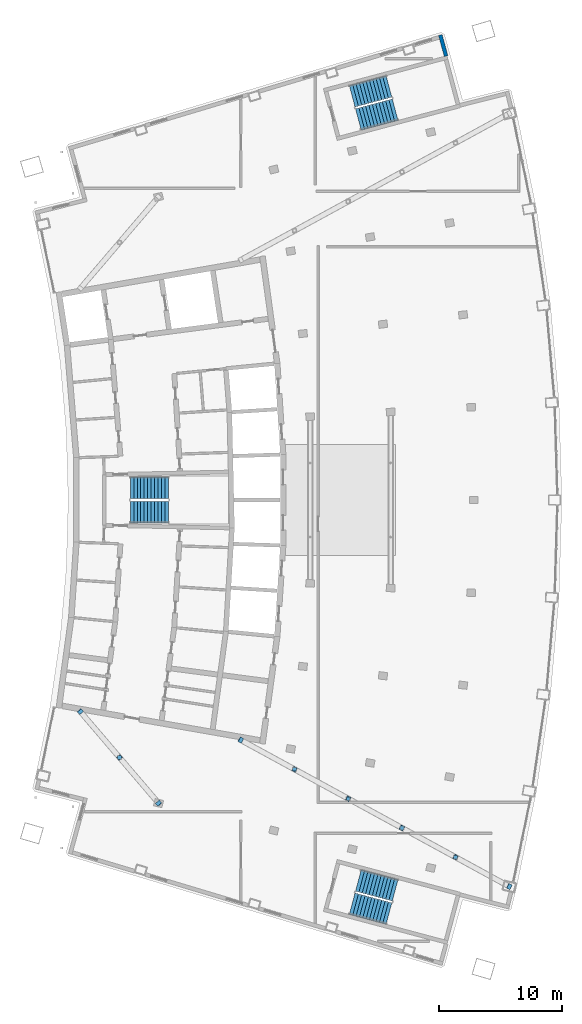
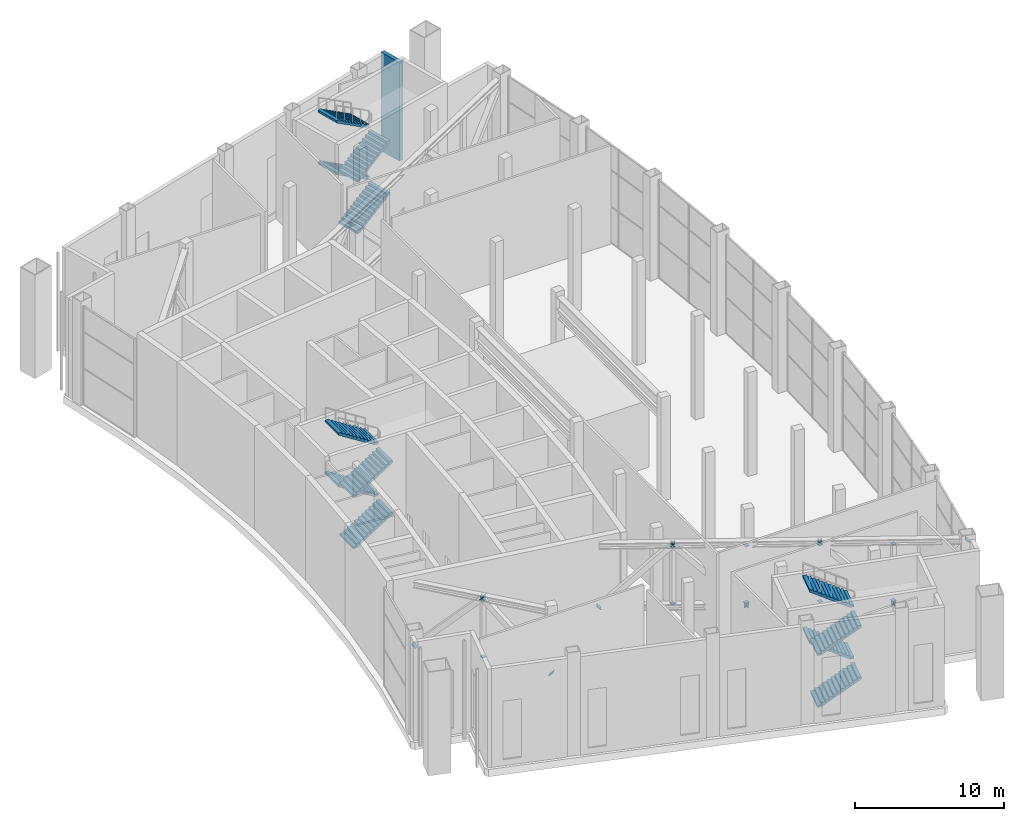
# One storey, part 21 of 25: 24 discrete accessories, 12 stair flights, 1 wall, 3 elements without a shape of their own.
"""IFC4 building model written with IfcOpenShell, lengths in metres."""

import ifcopenshell
import ifcopenshell.guid

model = None  # the IFC model being written
_history = None  # IfcOwnerHistory: only IFC2X3 demands one
_inside = {}  # id of a spatial element -> (the spatial element, [elements in it])
_under = {}  # id of a project, library or spatial element -> (it, [spatial elements below it])
_declared = {}  # id of a project -> (the project, [libraries it declares])
_typed = {}  # id of a type object -> (the type object, [elements of that type])
_made_of = {}  # id of a material, layer set ... -> (it, [elements and type objects made of it])


def new_model(schema):
    """Start an empty IFC model of exactly this schema.

    Asked for "IFC4X3", IfcOpenShell would pick the latest addendum, in which some entities
    have other attributes; the version numbers below select the first issue.
    IFC2X3 requires an IfcOwnerHistory on every rooted entity: one is made here for all.
    """
    global model, _history
    if schema == "IFC4X3":
        model = ifcopenshell.file(schema_version=(4, 3, 0, 0))
    else:
        model = ifcopenshell.file(schema=schema)
    _inside.clear()
    _under.clear()
    _declared.clear()
    _typed.clear()
    _made_of.clear()
    _history = None
    if model.schema == "IFC2X3":
        org = make("IfcOrganization", Name="unknown")
        user = make(
            "IfcPersonAndOrganization",
            ThePerson=make("IfcPerson", FamilyName="unknown"),
            TheOrganization=org,
        )
        app = make(
            "IfcApplication",
            ApplicationDeveloper=org,
            Version="unknown",
            ApplicationFullName="unknown",
            ApplicationIdentifier="unknown",
        )
        _history = make(
            "IfcOwnerHistory",
            OwningUser=user,
            OwningApplication=app,
            ChangeAction="ADDED",
            CreationDate=0,
        )
    return model


def make(cls, **values):
    """One entity of the class cls with the attributes given. An attribute that is None is left unset."""
    return model.create_entity(
        cls, **{name: value for name, value in values.items() if value is not None}
    )


def rooted(cls, **values):
    """An entity with a GlobalId (a new one), such as an element, a storey or a relation."""
    return make(cls, GlobalId=ifcopenshell.guid.new(), OwnerHistory=_history, **values)


def si_unit(unit_type, name, prefix=None):
    """IfcSIUnit, for example si_unit("LENGTHUNIT", "METRE", prefix="MILLI")."""
    return make("IfcSIUnit", UnitType=unit_type, Prefix=prefix, Name=name)


def assignment(units):
    """IfcUnitAssignment: the units of a project."""
    return None if units is None else make("IfcUnitAssignment", Units=units)


def point(xyz):
    """IfcCartesianPoint."""
    return None if xyz is None else make("IfcCartesianPoint", Coordinates=xyz)


def direction(xyz):
    """IfcDirection."""
    return None if xyz is None else make("IfcDirection", DirectionRatios=xyz)


def frame(location, z_axis=None, x_axis=None):
    """IfcAxis2Placement3D, a coordinate frame: its origin and axes. An axis left out is left unset."""
    return make(
        "IfcAxis2Placement3D",
        Location=point(location),
        Axis=direction(z_axis),
        RefDirection=direction(x_axis),
    )


def frame_2d(location, x_axis=None):
    """IfcAxis2Placement2D, a coordinate frame in the plane: its origin and x axis."""
    return make(
        "IfcAxis2Placement2D", Location=point(location), RefDirection=direction(x_axis)
    )


def origin():
    """The frame at (0, 0, 0) with its axes left unset."""
    return frame((0.0, 0.0, 0.0))


def origin_2d():
    """The frame at (0, 0) in the plane with its x axis left unset."""
    return frame_2d((0.0, 0.0))


def place(relative_to, where):
    """IfcLocalPlacement: puts the frame where relative to a parent placement (None: the world)."""
    return make(
        "IfcLocalPlacement", PlacementRelTo=relative_to, RelativePlacement=where
    )


def context(
    kind, dimensions, precision=None, world=None, true_north=None, identifier=None
):
    """IfcGeometricRepresentationContext, for example the 3D "Model" context."""
    return make(
        "IfcGeometricRepresentationContext",
        ContextIdentifier=identifier,
        ContextType=kind,
        CoordinateSpaceDimension=dimensions,
        Precision=precision,
        WorldCoordinateSystem=world,
        TrueNorth=true_north,
    )


def subcontext(parent, identifier, kind, view, scale=None):
    """IfcGeometricRepresentationSubContext, for example "Body" below "Model"."""
    return make(
        "IfcGeometricRepresentationSubContext",
        ContextIdentifier=identifier,
        ContextType=kind,
        ParentContext=parent,
        TargetScale=scale,
        TargetView=view,
    )


def project(units=None, contexts=None):
    """IfcProject with its units and contexts."""
    return rooted(
        "IfcProject",
        Name="project",
        RepresentationContexts=contexts,
        UnitsInContext=assignment(units),
    )


def spatial(cls, under=None, at=None, **own):
    """A site, building, storey or space (cls), placed at a placement, below another one or the project."""
    s = rooted(cls, ObjectPlacement=at, **own)
    if under is not None:
        _under.setdefault(under.id(), (under, []))[1].append(s)
    return s


def polyline(points):
    """IfcPolyline through the points."""
    return make("IfcPolyline", Points=[point(p) for p in points])


def profile(cls, at=None, kind="AREA", **sizes):
    """A parametric profile (cls). Its sizes go by their IFC names, for example OverallWidth=200.0."""
    return make(cls, ProfileType=kind, Position=at, **sizes)


def rectangle(**sizes):
    """IfcRectangleProfileDef."""
    return profile("IfcRectangleProfileDef", **sizes)


def outline(outer, holes=None, kind="AREA"):
    """IfcArbitraryClosedProfileDef: a profile drawn as a closed curve; with holes, ...WithVoids."""
    if holes is None:
        return make("IfcArbitraryClosedProfileDef", ProfileType=kind, OuterCurve=outer)
    return make(
        "IfcArbitraryProfileDefWithVoids",
        ProfileType=kind,
        OuterCurve=outer,
        InnerCurves=holes,
    )


def extrude(swept, where, along, depth):
    """IfcExtrudedAreaSolid: the profile swept, set in the frame where, extruded along a direction by depth."""
    return make(
        "IfcExtrudedAreaSolid",
        SweptArea=swept,
        Position=where,
        ExtrudedDirection=direction(along),
        Depth=depth,
    )


def shape(context_of_items, identifier, shape_type, items):
    """IfcShapeRepresentation: the items that make up one representation, for example the "Body"."""
    return make(
        "IfcShapeRepresentation",
        ContextOfItems=context_of_items,
        RepresentationIdentifier=identifier,
        RepresentationType=shape_type,
        Items=items,
    )


def material(Name=None, Category=None):
    """IfcMaterial."""
    return make("IfcMaterial", Name=Name, Category=Category)


def layer(
    of_material, thickness, ventilated=None, Name=None, Category=None, Priority=None
):
    """IfcMaterialLayer: one layer of a wall or slab, of a material (None: an air gap)."""
    return make(
        "IfcMaterialLayer",
        Material=of_material,
        LayerThickness=thickness,
        IsVentilated=ventilated,
        Name=Name,
        Category=Category,
        Priority=Priority,
    )


def layer_set(layers, Name=None):
    """IfcMaterialLayerSet."""
    return make("IfcMaterialLayerSet", MaterialLayers=layers, LayerSetName=Name)


def material_profile(
    of_material, cross_section, Name=None, Category=None, Priority=None
):
    """IfcMaterialProfile: a cross section and its material."""
    return make(
        "IfcMaterialProfile",
        Name=Name,
        Material=of_material,
        Profile=cross_section,
        Priority=Priority,
        Category=Category,
    )


def profile_set(profiles, Name=None, composite=None):
    """IfcMaterialProfileSet."""
    return make(
        "IfcMaterialProfileSet",
        Name=Name,
        MaterialProfiles=profiles,
        CompositeProfile=composite,
    )


def made_of(thing, what):
    """Note that an element or type object is made of a material, layer set ...; save() writes the relation."""
    if what is not None:
        _made_of.setdefault(what.id(), (what, []))[1].append(thing)
    return thing


def type_object(cls, material=None, **own):
    """A type object (cls), such as IfcWallType, which elements share."""
    return made_of(rooted(cls, **own), material)


def element(
    cls,
    number,
    at=None,
    inside=None,
    cuts=None,
    type_object=None,
    material=None,
    context=None,
    identifier="Body",
    shape_type=None,
    held_by="IfcProductDefinitionShape",
    body=None,
    shapes=None,
    **own,
):
    """One element of the class cls, such as IfcWall. Its Tag is "e" and its number.

    at: its placement. inside: the storey or other place that contains it. cuts: it is an
    opening in that element (IfcRelVoidsElement). A single representation is given by context,
    identifier, shape_type and body (its items); several are given by shapes. held_by: the class
    of the entity that holds the representations. save() writes the other relations.
    """
    e = rooted(cls, Tag="e%d" % number, ObjectPlacement=at, **own)
    if body is not None:
        shapes = [shape(context, identifier, shape_type, body)]
    if shapes is not None:
        e.Representation = make(held_by, Representations=shapes)
    if inside is not None:
        _inside.setdefault(inside.id(), (inside, []))[1].append(e)
    if cuts is not None:
        rooted(
            "IfcRelVoidsElement", RelatingBuildingElement=cuts, RelatedOpeningElement=e
        )
    if type_object is not None:
        _typed.setdefault(type_object.id(), (type_object, []))[1].append(e)
    return made_of(e, material)


def aggregate(whole, parts):
    """IfcRelAggregates: a whole, such as a stair, and the parts it consists of."""
    return rooted("IfcRelAggregates", RelatingObject=whole, RelatedObjects=parts)


def save(model, path):
    """Write the relations noted so far, then the file.

    IfcRelAggregates (storeys below a building ...), IfcRelContainedInSpatialStructure (elements
    in a storey), IfcRelDefinesByType, IfcRelAssociatesMaterial and IfcRelDeclares: one each for
    every whole, place, type object, material and project.
    """
    for whole, parts in _under.values():
        aggregate(whole, parts)
    for where, things in _inside.values():
        rooted(
            "IfcRelContainedInSpatialStructure",
            RelatedElements=things,
            RelatingStructure=where,
        )
    for kind, things in _typed.values():
        rooted("IfcRelDefinesByType", RelatedObjects=things, RelatingType=kind)
    for what, things in _made_of.values():
        rooted("IfcRelAssociatesMaterial", RelatedObjects=things, RelatingMaterial=what)
    for by, libraries in _declared.values():
        rooted("IfcRelDeclares", RelatingContext=by, RelatedDefinitions=libraries)
    model.write(path)


model = new_model("IFC4")

# Units and contexts
model_context = context("Model", 3, precision=1e-05, world=origin(), true_north=direction((0.0, 1.0)))
body_context = subcontext(model_context, "Body", "Model", "MODEL_VIEW")
ifc_project = project(units=[si_unit("LENGTHUNIT", "METRE"), si_unit("AREAUNIT", "SQUARE_METRE"), si_unit("VOLUMEUNIT", "CUBIC_METRE"), si_unit("PLANEANGLEUNIT", "RADIAN"), si_unit("MASSUNIT", "GRAM", prefix="KILO")], contexts=[model_context])

# Site, building, storey
site_placement = place(None, origin())
site = spatial("IfcSite", under=ifc_project, at=site_placement, CompositionType="ELEMENT")
building_placement = place(site_placement, origin())
building = spatial("IfcBuilding", under=site, at=building_placement, Name="Alderwake Tower", CompositionType="ELEMENT")
storey_placement = place(building_placement, frame((0.0, 0.0, 296.0)))
storey = spatial("IfcBuildingStorey", under=building, at=storey_placement, Name="L73", CompositionType="ELEMENT", Elevation=296.0)

# Wall
ifc_material_1 = material(Name="Bronze metal cladding on lightweight framing")
ifc_layer_1 = layer(ifc_material_1, 0.300048828125)
ifc_layer_set_1 = layer_set([ifc_layer_1], Name="External wall EW3 plant enclosure")
wall_type = type_object("IfcWallType", Name="External wall EW3 plant enclosure", PredefinedType="SOLIDWALL", material=ifc_layer_set_1)
wall_placement = place(storey_placement, frame((46.615478515625, 96.96142578125, 0.0), z_axis=(0.0, 0.0, 1.0), x_axis=(-0.265011891163, 0.964245143904, 0.0)))
element("IfcWall", 1, at=wall_placement, inside=storey, type_object=wall_type, Name="External wall 14", PredefinedType="SOLIDWALL", context=body_context, shape_type="SweptSolid", body=[
    extrude(rectangle(XDim=1.76611328125, YDim=0.300048828125, at=frame_2d((0.883056640625, 0.0))), origin(), (0.0, 0.0, 1.0), 8.10009765625),
])

# Stair, stair flights
ifc_material_2 = material(Name="Concrete C40/50", Category="concrete")
stair_type = type_object("IfcStairType", Name="Core exit stair", PredefinedType="HALF_TURN_STAIR", material=ifc_material_2)
stair_1_placement = place(storey_placement, origin())
stair_1 = element("IfcStair", 2, at=stair_1_placement, inside=storey, type_object=stair_type, Name="L73 Exit Stair B", PredefinedType="HALF_TURN_STAIR")
ifc_material_3 = material(Name="Concrete C40/50", Category="concrete")
ifc_layer_2 = layer(ifc_material_3, 0.14990234375)
ifc_layer_set_2 = layer_set([ifc_layer_2], Name="Core stair flight")
stair_flight_type = type_object("IfcStairFlightType", Name="Core stair flight", PredefinedType="STRAIGHT", material=ifc_layer_set_2)
stair_flight_1_placement = place(storey_placement, frame((21.0400390625, 60.02490234375, 0.0), z_axis=(0.0, 0.0, 1.0), x_axis=(1.0, 0.0, 0.0)))
stair_flight_1 = element("IfcStairFlight", 3, at=stair_flight_1_placement, type_object=stair_flight_type, Name="ST-B flight 1", NumberOfRisers=12, NumberOfTreads=11, PredefinedType="STRAIGHT", RiserHeight=0.177083333, TreadLength=0.28, context=body_context, shape_type="SweptSolid", body=[
    extrude(outline(polyline([(0.0, 0.0), (0.0, 0.177001953125), (0.280029296875, 0.177001953125), (0.280029296875, 0.354248046875), (0.56005859375, 0.354248046875), (0.56005859375, 0.53125), (0.840087890625, 0.53125), (0.840087890625, 0.708251953125), (1.1201171875, 0.708251953125), (1.1201171875, 0.885498046875), (1.39990234375, 0.885498046875), (1.39990234375, 1.0625), (1.679931640625, 1.0625), (1.679931640625, 1.239501953125), (1.9599609375, 1.239501953125), (1.9599609375, 1.416748046875), (2.239990234375, 1.416748046875), (2.239990234375, 1.59375), (2.52001953125, 1.59375), (2.52001953125, 1.770751953125), (2.800048828125, 1.770751953125), (2.800048828125, 1.947998046875), (3.080078125, 1.947998046875), (3.080078125, 2.125), (3.080078125, 1.7705078125), (0.280517578125, 0.0), (0.0, 0.0)])), frame((0.0, 0.89990234375, 0.0), z_axis=(0.0, -1.0, 0.0), x_axis=(1.0, 0.0, 0.0)), (0.0, 0.0, 1.0), 1.800048828125),
])
stair_flight_2_placement = place(storey_placement, frame((24.1201171875, 61.97509765625, 2.125), z_axis=(0.0, 0.0, 1.0), x_axis=(-1.0, 0.0, 0.0)))
stair_flight_2 = element("IfcStairFlight", 4, at=stair_flight_2_placement, type_object=stair_flight_type, Name="ST-B flight 2", NumberOfRisers=12, NumberOfTreads=11, PredefinedType="STRAIGHT", RiserHeight=0.177083333, TreadLength=0.28, context=body_context, shape_type="SweptSolid", body=[
    extrude(outline(polyline([(0.0, 0.0), (0.0, 0.177001953125), (0.280029296875, 0.177001953125), (0.280029296875, 0.354248046875), (0.56005859375, 0.354248046875), (0.56005859375, 0.53125), (0.840087890625, 0.53125), (0.840087890625, 0.708251953125), (1.1201171875, 0.708251953125), (1.1201171875, 0.885498046875), (1.39990234375, 0.885498046875), (1.39990234375, 1.0625), (1.679931640625, 1.0625), (1.679931640625, 1.239501953125), (1.9599609375, 1.239501953125), (1.9599609375, 1.416748046875), (2.239990234375, 1.416748046875), (2.239990234375, 1.59375), (2.52001953125, 1.59375), (2.52001953125, 1.770751953125), (2.800048828125, 1.770751953125), (2.800048828125, 1.947998046875), (3.080078125, 1.947998046875), (3.080078125, 2.125), (3.080078125, 1.7705078125), (0.280517578125, 0.0), (0.0, 0.0)])), frame((0.0, 0.89990234375, 0.0), z_axis=(0.0, -1.0, 0.0), x_axis=(1.0, 0.0, 0.0)), (0.0, 0.0, 1.0), 1.800048828125),
])
stair_flight_3_placement = place(storey_placement, frame((21.0400390625, 60.02490234375, 4.25), z_axis=(0.0, 0.0, 1.0), x_axis=(1.0, 0.0, 0.0)))
stair_flight_3 = element("IfcStairFlight", 5, at=stair_flight_3_placement, type_object=stair_flight_type, Name="ST-B flight 3", NumberOfRisers=12, NumberOfTreads=11, PredefinedType="STRAIGHT", RiserHeight=0.177083333, TreadLength=0.28, context=body_context, shape_type="SweptSolid", body=[
    extrude(outline(polyline([(0.0, 0.0), (0.0, 0.177001953125), (0.280029296875, 0.177001953125), (0.280029296875, 0.354248046875), (0.56005859375, 0.354248046875), (0.56005859375, 0.53125), (0.840087890625, 0.53125), (0.840087890625, 0.708251953125), (1.1201171875, 0.708251953125), (1.1201171875, 0.885498046875), (1.39990234375, 0.885498046875), (1.39990234375, 1.0625), (1.679931640625, 1.0625), (1.679931640625, 1.239501953125), (1.9599609375, 1.239501953125), (1.9599609375, 1.416748046875), (2.239990234375, 1.416748046875), (2.239990234375, 1.59375), (2.52001953125, 1.59375), (2.52001953125, 1.770751953125), (2.800048828125, 1.770751953125), (2.800048828125, 1.947998046875), (3.080078125, 1.947998046875), (3.080078125, 2.125), (3.080078125, 1.7705078125), (0.280517578125, 0.0), (0.0, 0.0)])), frame((0.0, 0.89990234375, 0.0), z_axis=(0.0, -1.0, 0.0), x_axis=(1.0, 0.0, 0.0)), (0.0, 0.0, 1.0), 1.800048828125),
])
stair_flight_4_placement = place(storey_placement, frame((24.1201171875, 61.97509765625, 6.375), z_axis=(0.0, 0.0, 1.0), x_axis=(-1.0, 0.0, 0.0)))
stair_flight_4 = element("IfcStairFlight", 6, at=stair_flight_4_placement, type_object=stair_flight_type, Name="ST-B flight 4", NumberOfRisers=12, NumberOfTreads=11, PredefinedType="STRAIGHT", RiserHeight=0.177083333, TreadLength=0.28, context=body_context, shape_type="SweptSolid", body=[
    extrude(outline(polyline([(0.0, 0.0), (0.0, 0.177001953125), (0.280029296875, 0.177001953125), (0.280029296875, 0.354248046875), (0.56005859375, 0.354248046875), (0.56005859375, 0.53125), (0.840087890625, 0.53125), (0.840087890625, 0.708251953125), (1.1201171875, 0.708251953125), (1.1201171875, 0.885498046875), (1.39990234375, 0.885498046875), (1.39990234375, 1.0625), (1.679931640625, 1.0625), (1.679931640625, 1.239501953125), (1.9599609375, 1.239501953125), (1.9599609375, 1.416748046875), (2.239990234375, 1.416748046875), (2.239990234375, 1.59375), (2.52001953125, 1.59375), (2.52001953125, 1.770751953125), (2.800048828125, 1.770751953125), (2.800048828125, 1.947998046875), (3.080078125, 1.947998046875), (3.080078125, 2.125), (3.080078125, 1.7705078125), (0.280517578125, 0.0), (0.0, 0.0)])), frame((0.0, 0.89990234375, 0.0), z_axis=(0.0, -1.0, 0.0), x_axis=(1.0, 0.0, 0.0)), (0.0, 0.0, 1.0), 1.800048828125),
])
aggregate(stair_1, [stair_flight_1, stair_flight_2, stair_flight_3, stair_flight_4])

stair_2_placement = place(storey_placement, origin())
stair_2 = element("IfcStair", 7, at=stair_2_placement, inside=storey, type_object=stair_type, Name="L73 Exit Stair A", PredefinedType="HALF_TURN_STAIR")
stair_flight_5_placement = place(storey_placement, frame((39.512939453125, 91.823974609375, 0.0), z_axis=(0.0, 0.0, 1.0), x_axis=(0.966309627437, 0.257382407951, 0.0)))
stair_flight_5 = element("IfcStairFlight", 8, at=stair_flight_5_placement, type_object=stair_flight_type, Name="ST-A flight 1", NumberOfRisers=12, NumberOfTreads=11, PredefinedType="STRAIGHT", RiserHeight=0.177083333, TreadLength=0.28, context=body_context, shape_type="SweptSolid", body=[
    extrude(outline(polyline([(0.0, 0.0), (0.0, 0.177001953125), (0.280029296875, 0.177001953125), (0.280029296875, 0.354248046875), (0.56005859375, 0.354248046875), (0.56005859375, 0.53125), (0.840087890625, 0.53125), (0.840087890625, 0.708251953125), (1.1201171875, 0.708251953125), (1.1201171875, 0.885498046875), (1.39990234375, 0.885498046875), (1.39990234375, 1.0625), (1.679931640625, 1.0625), (1.679931640625, 1.239501953125), (1.9599609375, 1.239501953125), (1.9599609375, 1.416748046875), (2.239990234375, 1.416748046875), (2.239990234375, 1.59375), (2.52001953125, 1.59375), (2.52001953125, 1.770751953125), (2.800048828125, 1.770751953125), (2.800048828125, 1.947998046875), (3.080078125, 1.947998046875), (3.080078125, 2.125), (3.080078125, 1.7705078125), (0.280517578125, 0.0), (0.0, 0.0)])), frame((0.0, 0.89990234375, 0.0), z_axis=(0.0, -1.0, 0.0), x_axis=(1.0, 0.0, 0.0)), (0.0, 0.0, 1.0), 1.800048828125),
])
stair_flight_6_placement = place(storey_placement, frame((41.9873046875, 94.5009765625, 2.125), z_axis=(0.0, 0.0, 1.0), x_axis=(-0.966309627437, -0.257382407951, 0.0)))
stair_flight_6 = element("IfcStairFlight", 9, at=stair_flight_6_placement, type_object=stair_flight_type, Name="ST-A flight 2", NumberOfRisers=12, NumberOfTreads=11, PredefinedType="STRAIGHT", RiserHeight=0.177083333, TreadLength=0.28, context=body_context, shape_type="SweptSolid", body=[
    extrude(outline(polyline([(0.0, 0.0), (0.0, 0.177001953125), (0.280029296875, 0.177001953125), (0.280029296875, 0.354248046875), (0.56005859375, 0.354248046875), (0.56005859375, 0.53125), (0.840087890625, 0.53125), (0.840087890625, 0.708251953125), (1.1201171875, 0.708251953125), (1.1201171875, 0.885498046875), (1.39990234375, 0.885498046875), (1.39990234375, 1.0625), (1.679931640625, 1.0625), (1.679931640625, 1.239501953125), (1.9599609375, 1.239501953125), (1.9599609375, 1.416748046875), (2.239990234375, 1.416748046875), (2.239990234375, 1.59375), (2.52001953125, 1.59375), (2.52001953125, 1.770751953125), (2.800048828125, 1.770751953125), (2.800048828125, 1.947998046875), (3.080078125, 1.947998046875), (3.080078125, 2.125), (3.080078125, 1.7705078125), (0.280517578125, 0.0), (0.0, 0.0)])), frame((0.0, 0.89990234375, 0.0), z_axis=(0.0, -1.0, 0.0), x_axis=(1.0, 0.0, 0.0)), (0.0, 0.0, 1.0), 1.800048828125),
])
stair_flight_7_placement = place(storey_placement, frame((39.512939453125, 91.823974609375, 4.25), z_axis=(0.0, 0.0, 1.0), x_axis=(0.966309627437, 0.257382407951, 0.0)))
stair_flight_7 = element("IfcStairFlight", 10, at=stair_flight_7_placement, type_object=stair_flight_type, Name="ST-A flight 3", NumberOfRisers=12, NumberOfTreads=11, PredefinedType="STRAIGHT", RiserHeight=0.177083333, TreadLength=0.28, context=body_context, shape_type="SweptSolid", body=[
    extrude(outline(polyline([(0.0, 0.0), (0.0, 0.177001953125), (0.280029296875, 0.177001953125), (0.280029296875, 0.354248046875), (0.56005859375, 0.354248046875), (0.56005859375, 0.53125), (0.840087890625, 0.53125), (0.840087890625, 0.708251953125), (1.1201171875, 0.708251953125), (1.1201171875, 0.885498046875), (1.39990234375, 0.885498046875), (1.39990234375, 1.0625), (1.679931640625, 1.0625), (1.679931640625, 1.239501953125), (1.9599609375, 1.239501953125), (1.9599609375, 1.416748046875), (2.239990234375, 1.416748046875), (2.239990234375, 1.59375), (2.52001953125, 1.59375), (2.52001953125, 1.770751953125), (2.800048828125, 1.770751953125), (2.800048828125, 1.947998046875), (3.080078125, 1.947998046875), (3.080078125, 2.125), (3.080078125, 1.7705078125), (0.280517578125, 0.0), (0.0, 0.0)])), frame((0.0, 0.89990234375, 0.0), z_axis=(0.0, -1.0, 0.0), x_axis=(1.0, 0.0, 0.0)), (0.0, 0.0, 1.0), 1.800048828125),
])
stair_flight_8_placement = place(storey_placement, frame((41.9873046875, 94.5009765625, 6.375), z_axis=(0.0, 0.0, 1.0), x_axis=(-0.966309627437, -0.257382407951, 0.0)))
stair_flight_8 = element("IfcStairFlight", 11, at=stair_flight_8_placement, type_object=stair_flight_type, Name="ST-A flight 4", NumberOfRisers=12, NumberOfTreads=11, PredefinedType="STRAIGHT", RiserHeight=0.177083333, TreadLength=0.28, context=body_context, shape_type="SweptSolid", body=[
    extrude(outline(polyline([(0.0, 0.0), (0.0, 0.177001953125), (0.280029296875, 0.177001953125), (0.280029296875, 0.354248046875), (0.56005859375, 0.354248046875), (0.56005859375, 0.53125), (0.840087890625, 0.53125), (0.840087890625, 0.708251953125), (1.1201171875, 0.708251953125), (1.1201171875, 0.885498046875), (1.39990234375, 0.885498046875), (1.39990234375, 1.0625), (1.679931640625, 1.0625), (1.679931640625, 1.239501953125), (1.9599609375, 1.239501953125), (1.9599609375, 1.416748046875), (2.239990234375, 1.416748046875), (2.239990234375, 1.59375), (2.52001953125, 1.59375), (2.52001953125, 1.770751953125), (2.800048828125, 1.770751953125), (2.800048828125, 1.947998046875), (3.080078125, 1.947998046875), (3.080078125, 2.125), (3.080078125, 1.7705078125), (0.280517578125, 0.0), (0.0, 0.0)])), frame((0.0, 0.89990234375, 0.0), z_axis=(0.0, -1.0, 0.0), x_axis=(1.0, 0.0, 0.0)), (0.0, 0.0, 1.0), 1.800048828125),
])
aggregate(stair_2, [stair_flight_5, stair_flight_6, stair_flight_7, stair_flight_8])

stair_3_placement = place(storey_placement, origin())
stair_3 = element("IfcStair", 12, at=stair_3_placement, inside=storey, type_object=stair_type, Name="L73 Exit Stair C", PredefinedType="HALF_TURN_STAIR")
stair_flight_9_placement = place(storey_placement, frame((39.010986328125, 28.291748046875, 0.0), z_axis=(0.0, 0.0, 1.0), x_axis=(0.966309627437, -0.257382407951, 0.0)))
stair_flight_9 = element("IfcStairFlight", 13, at=stair_flight_9_placement, type_object=stair_flight_type, Name="ST-C flight 1", NumberOfRisers=12, NumberOfTreads=11, PredefinedType="STRAIGHT", RiserHeight=0.177083333, TreadLength=0.28, context=body_context, shape_type="SweptSolid", body=[
    extrude(outline(polyline([(0.0, 0.0), (0.0, 0.177001953125), (0.280029296875, 0.177001953125), (0.280029296875, 0.354248046875), (0.56005859375, 0.354248046875), (0.56005859375, 0.53125), (0.840087890625, 0.53125), (0.840087890625, 0.708251953125), (1.1201171875, 0.708251953125), (1.1201171875, 0.885498046875), (1.39990234375, 0.885498046875), (1.39990234375, 1.0625), (1.679931640625, 1.0625), (1.679931640625, 1.239501953125), (1.9599609375, 1.239501953125), (1.9599609375, 1.416748046875), (2.239990234375, 1.416748046875), (2.239990234375, 1.59375), (2.52001953125, 1.59375), (2.52001953125, 1.770751953125), (2.800048828125, 1.770751953125), (2.800048828125, 1.947998046875), (3.080078125, 1.947998046875), (3.080078125, 2.125), (3.080078125, 1.7705078125), (0.280517578125, 0.0), (0.0, 0.0)])), frame((0.0, 0.89990234375, 0.0), z_axis=(0.0, -1.0, 0.0), x_axis=(1.0, 0.0, 0.0)), (0.0, 0.0, 1.0), 1.800048828125),
])
stair_flight_10_placement = place(storey_placement, frame((42.489013671875, 29.38330078125, 2.125), z_axis=(0.0, 0.0, 1.0), x_axis=(-0.966309627437, 0.257382407951, 0.0)))
stair_flight_10 = element("IfcStairFlight", 14, at=stair_flight_10_placement, type_object=stair_flight_type, Name="ST-C flight 2", NumberOfRisers=12, NumberOfTreads=11, PredefinedType="STRAIGHT", RiserHeight=0.177083333, TreadLength=0.28, context=body_context, shape_type="SweptSolid", body=[
    extrude(outline(polyline([(0.0, 0.0), (0.0, 0.177001953125), (0.280029296875, 0.177001953125), (0.280029296875, 0.354248046875), (0.56005859375, 0.354248046875), (0.56005859375, 0.53125), (0.840087890625, 0.53125), (0.840087890625, 0.708251953125), (1.1201171875, 0.708251953125), (1.1201171875, 0.885498046875), (1.39990234375, 0.885498046875), (1.39990234375, 1.0625), (1.679931640625, 1.0625), (1.679931640625, 1.239501953125), (1.9599609375, 1.239501953125), (1.9599609375, 1.416748046875), (2.239990234375, 1.416748046875), (2.239990234375, 1.59375), (2.52001953125, 1.59375), (2.52001953125, 1.770751953125), (2.800048828125, 1.770751953125), (2.800048828125, 1.947998046875), (3.080078125, 1.947998046875), (3.080078125, 2.125), (3.080078125, 1.7705078125), (0.280517578125, 0.0), (0.0, 0.0)])), frame((0.0, 0.89990234375, 0.0), z_axis=(0.0, -1.0, 0.0), x_axis=(1.0, 0.0, 0.0)), (0.0, 0.0, 1.0), 1.800048828125),
])
stair_flight_11_placement = place(storey_placement, frame((39.010986328125, 28.291748046875, 4.25), z_axis=(0.0, 0.0, 1.0), x_axis=(0.966309627437, -0.257382407951, 0.0)))
stair_flight_11 = element("IfcStairFlight", 15, at=stair_flight_11_placement, type_object=stair_flight_type, Name="ST-C flight 3", NumberOfRisers=12, NumberOfTreads=11, PredefinedType="STRAIGHT", RiserHeight=0.177083333, TreadLength=0.28, context=body_context, shape_type="SweptSolid", body=[
    extrude(outline(polyline([(0.0, 0.0), (0.0, 0.177001953125), (0.280029296875, 0.177001953125), (0.280029296875, 0.354248046875), (0.56005859375, 0.354248046875), (0.56005859375, 0.53125), (0.840087890625, 0.53125), (0.840087890625, 0.708251953125), (1.1201171875, 0.708251953125), (1.1201171875, 0.885498046875), (1.39990234375, 0.885498046875), (1.39990234375, 1.0625), (1.679931640625, 1.0625), (1.679931640625, 1.239501953125), (1.9599609375, 1.239501953125), (1.9599609375, 1.416748046875), (2.239990234375, 1.416748046875), (2.239990234375, 1.59375), (2.52001953125, 1.59375), (2.52001953125, 1.770751953125), (2.800048828125, 1.770751953125), (2.800048828125, 1.947998046875), (3.080078125, 1.947998046875), (3.080078125, 2.125), (3.080078125, 1.7705078125), (0.280517578125, 0.0), (0.0, 0.0)])), frame((0.0, 0.89990234375, 0.0), z_axis=(0.0, -1.0, 0.0), x_axis=(1.0, 0.0, 0.0)), (0.0, 0.0, 1.0), 1.800048828125),
])
stair_flight_12_placement = place(storey_placement, frame((42.489013671875, 29.38330078125, 6.375), z_axis=(0.0, 0.0, 1.0), x_axis=(-0.966309627437, 0.257382407951, 0.0)))
stair_flight_12 = element("IfcStairFlight", 16, at=stair_flight_12_placement, type_object=stair_flight_type, Name="ST-C flight 4", NumberOfRisers=12, NumberOfTreads=11, PredefinedType="STRAIGHT", RiserHeight=0.177083333, TreadLength=0.28, context=body_context, shape_type="SweptSolid", body=[
    extrude(outline(polyline([(0.0, 0.0), (0.0, 0.177001953125), (0.280029296875, 0.177001953125), (0.280029296875, 0.354248046875), (0.56005859375, 0.354248046875), (0.56005859375, 0.53125), (0.840087890625, 0.53125), (0.840087890625, 0.708251953125), (1.1201171875, 0.708251953125), (1.1201171875, 0.885498046875), (1.39990234375, 0.885498046875), (1.39990234375, 1.0625), (1.679931640625, 1.0625), (1.679931640625, 1.239501953125), (1.9599609375, 1.239501953125), (1.9599609375, 1.416748046875), (2.239990234375, 1.416748046875), (2.239990234375, 1.59375), (2.52001953125, 1.59375), (2.52001953125, 1.770751953125), (2.800048828125, 1.770751953125), (2.800048828125, 1.947998046875), (3.080078125, 1.947998046875), (3.080078125, 2.125), (3.080078125, 1.7705078125), (0.280517578125, 0.0), (0.0, 0.0)])), frame((0.0, 0.89990234375, 0.0), z_axis=(0.0, -1.0, 0.0), x_axis=(1.0, 0.0, 0.0)), (0.0, 0.0, 1.0), 1.800048828125),
])
aggregate(stair_3, [stair_flight_9, stair_flight_10, stair_flight_11, stair_flight_12])

# Discrete accessories
ifc_material_4 = material(Name="Steel ASTM A572 Grade 50", Category="steel")
ifc_material_profile_1 = material_profile(ifc_material_4, rectangle(XDim=0.3046875, YDim=0.3046875, at=origin_2d()), Name="HSS12X12X1/2 cap")
ifc_profile_set_1 = profile_set([ifc_material_profile_1], Name="Steel ASTM A572 Grade 50")
discrete_accessory_type_1 = type_object("IfcDiscreteAccessoryType", Name="End cap plate HSS12X12X1/2", PredefinedType="USERDEFINED", material=ifc_profile_set_1)
discrete_accessory_1_placement = place(storey_placement, frame((20.15869140625, 40.147216796875, 3.0146484375), z_axis=(0.0, 0.0, -1.0), x_axis=(1.0, 0.0, 0.0)))
element("IfcDiscreteAccessory", 17, at=discrete_accessory_1_placement, inside=storey, type_object=discrete_accessory_type_1, Name="End cap DT73SR.P1 S", ObjectType="END CAP", PredefinedType="USERDEFINED", context=body_context, shape_type="SweptSolid", body=[
    extrude(rectangle(XDim=0.3046875, YDim=0.3046875, at=origin_2d()), origin(), (0.0, 0.0, 1.0), 0.030029296875),
])
discrete_accessory_2_placement = place(storey_placement, frame((20.15869140625, 40.147216796875, 7.635498046875), z_axis=(0.0, 0.0, 1.0), x_axis=(1.0, 0.0, 0.0)))
element("IfcDiscreteAccessory", 18, at=discrete_accessory_2_placement, inside=storey, type_object=discrete_accessory_type_1, Name="End cap DT73SR.P1 N", ObjectType="END CAP", PredefinedType="USERDEFINED", context=body_context, shape_type="SweptSolid", body=[
    extrude(rectangle(XDim=0.3046875, YDim=0.3046875, at=origin_2d()), origin(), (0.0, 0.0, 1.0), 0.02978515625),
])
discrete_accessory_3_placement = place(storey_placement, frame((34.34130859375, 39.18017578125, 3.0146484375), z_axis=(0.0, 0.0, -1.0), x_axis=(1.0, 0.0, 0.0)))
element("IfcDiscreteAccessory", 19, at=discrete_accessory_3_placement, inside=storey, type_object=discrete_accessory_type_1, Name="End cap DT73SF.P1 S", ObjectType="END CAP", PredefinedType="USERDEFINED", context=body_context, shape_type="SweptSolid", body=[
    extrude(rectangle(XDim=0.3046875, YDim=0.3046875, at=origin_2d()), origin(), (0.0, 0.0, 1.0), 0.030029296875),
])
discrete_accessory_4_placement = place(storey_placement, frame((34.34130859375, 39.18017578125, 7.635498046875), z_axis=(0.0, 0.0, 1.0), x_axis=(1.0, 0.0, 0.0)))
element("IfcDiscreteAccessory", 20, at=discrete_accessory_4_placement, inside=storey, type_object=discrete_accessory_type_1, Name="End cap DT73SF.P1 N", ObjectType="END CAP", PredefinedType="USERDEFINED", context=body_context, shape_type="SweptSolid", body=[
    extrude(rectangle(XDim=0.3046875, YDim=0.3046875, at=origin_2d()), origin(), (0.0, 0.0, 1.0), 0.02978515625),
])
discrete_accessory_5_placement = place(storey_placement, frame((38.688720703125, 36.808349609375, 3.0146484375), z_axis=(0.0, 0.0, -1.0), x_axis=(1.0, 0.0, 0.0)))
element("IfcDiscreteAccessory", 21, at=discrete_accessory_5_placement, inside=storey, type_object=discrete_accessory_type_1, Name="End cap DT73SF.P2 S", ObjectType="END CAP", PredefinedType="USERDEFINED", context=body_context, shape_type="SweptSolid", body=[
    extrude(rectangle(XDim=0.3046875, YDim=0.3046875, at=origin_2d()), origin(), (0.0, 0.0, 1.0), 0.030029296875),
])
discrete_accessory_6_placement = place(storey_placement, frame((38.688720703125, 36.808349609375, 7.635498046875), z_axis=(0.0, 0.0, 1.0), x_axis=(1.0, 0.0, 0.0)))
element("IfcDiscreteAccessory", 22, at=discrete_accessory_6_placement, inside=storey, type_object=discrete_accessory_type_1, Name="End cap DT73SF.P2 N", ObjectType="END CAP", PredefinedType="USERDEFINED", context=body_context, shape_type="SweptSolid", body=[
    extrude(rectangle(XDim=0.3046875, YDim=0.3046875, at=origin_2d()), origin(), (0.0, 0.0, 1.0), 0.02978515625),
])
discrete_accessory_7_placement = place(storey_placement, frame((43.0361328125, 34.436279296875, 3.0146484375), z_axis=(0.0, 0.0, -1.0), x_axis=(1.0, 0.0, 0.0)))
element("IfcDiscreteAccessory", 23, at=discrete_accessory_7_placement, inside=storey, type_object=discrete_accessory_type_1, Name="End cap DT73SF.P3 S", ObjectType="END CAP", PredefinedType="USERDEFINED", context=body_context, shape_type="SweptSolid", body=[
    extrude(rectangle(XDim=0.3046875, YDim=0.3046875, at=origin_2d()), origin(), (0.0, 0.0, 1.0), 0.030029296875),
])
discrete_accessory_8_placement = place(storey_placement, frame((43.0361328125, 34.436279296875, 7.635498046875), z_axis=(0.0, 0.0, 1.0), x_axis=(1.0, 0.0, 0.0)))
element("IfcDiscreteAccessory", 24, at=discrete_accessory_8_placement, inside=storey, type_object=discrete_accessory_type_1, Name="End cap DT73SF.P3 N", ObjectType="END CAP", PredefinedType="USERDEFINED", context=body_context, shape_type="SweptSolid", body=[
    extrude(rectangle(XDim=0.3046875, YDim=0.3046875, at=origin_2d()), origin(), (0.0, 0.0, 1.0), 0.02978515625),
])
discrete_accessory_9_placement = place(storey_placement, frame((47.38330078125, 32.064453125, 3.0146484375), z_axis=(0.0, 0.0, -1.0), x_axis=(1.0, 0.0, 0.0)))
element("IfcDiscreteAccessory", 25, at=discrete_accessory_9_placement, inside=storey, type_object=discrete_accessory_type_1, Name="End cap DT73SF.P4 S", ObjectType="END CAP", PredefinedType="USERDEFINED", context=body_context, shape_type="SweptSolid", body=[
    extrude(rectangle(XDim=0.3046875, YDim=0.3046875, at=origin_2d()), origin(), (0.0, 0.0, 1.0), 0.030029296875),
])
discrete_accessory_10_placement = place(storey_placement, frame((47.38330078125, 32.064453125, 7.635498046875), z_axis=(0.0, 0.0, 1.0), x_axis=(1.0, 0.0, 0.0)))
element("IfcDiscreteAccessory", 26, at=discrete_accessory_10_placement, inside=storey, type_object=discrete_accessory_type_1, Name="End cap DT73SF.P4 N", ObjectType="END CAP", PredefinedType="USERDEFINED", context=body_context, shape_type="SweptSolid", body=[
    extrude(rectangle(XDim=0.3046875, YDim=0.3046875, at=origin_2d()), origin(), (0.0, 0.0, 1.0), 0.02978515625),
])
ifc_material_5 = material(Name="Steel ASTM A572 Grade 50", Category="steel")
ifc_material_profile_2 = material_profile(ifc_material_5, rectangle(XDim=0.406494140625, YDim=0.406494140625, at=origin_2d()), Name="HSS16X16X5/8 cap")
ifc_profile_set_2 = profile_set([ifc_material_profile_2], Name="Steel ASTM A572 Grade 50")
discrete_accessory_type_2 = type_object("IfcDiscreteAccessoryType", Name="End cap plate HSS16X16X5/8", PredefinedType="USERDEFINED", material=ifc_profile_set_2)
for number, where, z_axis, x_axis, name in (
    (27, (16.99560546875, 43.850341796875, 2.7822265625), (-0.446535082447, 0.527723279256, -0.722574951597), (-0.763386285369, -0.645942241466, 0.0), "End cap DT73SR.D1 S"),
    (28, (20.15869140625, 40.147216796875, 7.86767578125), (0.454923859937, -0.519912982785, 0.723003991685), (0.752576694707, 0.658504607869, 0.0), "End cap DT73SR.D1 N"),
    (29, (23.322021484375, 36.444091796875, 2.7822265625), (0.454923859937, -0.519912982785, -0.723003991685), (0.752576694707, 0.658504607869, 0.0), "End cap DT73SR.D2 S"),
    (30, (20.15869140625, 40.147216796875, 7.86767578125), (-0.446535082447, 0.527723279256, 0.722574951597), (-0.763386285369, -0.645942241466, 0.0), "End cap DT73SR.D2 N"),
    (31, (29.993896484375, 41.552001953125, 2.7822265625), (-0.611354359454, 0.334207049835, -0.717322448427), (-0.47967161867, -0.877448082933, 0.0), "End cap DT73SF.D1 S"),
    (32, (34.34130859375, 39.18017578125, 7.86767578125), (0.611354359454, -0.334207049835, 0.717322448427), (0.47967161867, 0.877448082933, 0.0), "End cap DT73SF.D1 N"),
    (33, (38.688720703125, 36.808349609375, 2.7822265625), (0.611354359454, -0.334207049835, -0.717322448427), (0.47967161867, 0.877448082933, 0.0), "End cap DT73SF.D2 S"),
    (34, (34.34130859375, 39.18017578125, 7.86767578125), (-0.611354359454, 0.334207049835, 0.717322448427), (-0.47967161867, -0.877448082933, 0.0), "End cap DT73SF.D2 N"),
    (35, (38.688720703125, 36.808349609375, 2.7822265625), (-0.611354359454, 0.334207049835, -0.717322448427), (-0.47967161867, -0.877448082933, 0.0), "End cap DT73SF.D3 S"),
):
    element("IfcDiscreteAccessory", number, at=place(storey_placement, frame(where, z_axis=z_axis, x_axis=x_axis)), inside=storey, type_object=discrete_accessory_type_2, Name=name, ObjectType="END CAP", PredefinedType="USERDEFINED", context=body_context, shape_type="SweptSolid", body=[
        extrude(rectangle(XDim=0.406494140625, YDim=0.406494140625, at=origin_2d()), origin(), (0.0, 0.0, 1.0), 0.030029296875),
    ])
discrete_accessory_11_placement = place(storey_placement, frame((43.0361328125, 34.436279296875, 7.86767578125), z_axis=(0.613006203055, -0.326936641629, 0.719260611584), x_axis=(0.470588235294, 0.882352941176, 0.0)))
element("IfcDiscreteAccessory", 36, at=discrete_accessory_11_placement, inside=storey, type_object=discrete_accessory_type_2, Name="End cap DT73SF.D3 N", ObjectType="END CAP", PredefinedType="USERDEFINED", context=body_context, shape_type="SweptSolid", body=[
    extrude(rectangle(XDim=0.406494140625, YDim=0.406494140625, at=origin_2d()), origin(), (0.0, 0.0, 1.0), 0.02978515625),
])
for number, where, z_axis, x_axis, name in (
    (37, (47.38330078125, 32.064453125, 2.7822265625), (0.61642112362, -0.332542974584, -0.713750774718), (0.47479024257, 0.880098986228, 0.0), "End cap DT73SF.D4 S"),
    (38, (43.0361328125, 34.436279296875, 7.86767578125), (-0.61642112362, 0.332542974584, 0.713750774718), (-0.47479024257, -0.880098986228, 0.0), "End cap DT73SF.D4 N"),
    (39, (47.38330078125, 32.064453125, 2.7822265625), (-0.611354359454, 0.334207049835, -0.717322448427), (-0.47967161867, -0.877448082933, 0.0), "End cap DT73SF.D5 S"),
    (40, (51.730712890625, 29.692626953125, 7.86767578125), (0.61642112362, -0.332542974584, 0.713750774718), (0.47479024257, 0.880098986228, 0.0), "End cap DT73SF.D5 N"),
):
    element("IfcDiscreteAccessory", number, at=place(storey_placement, frame(where, z_axis=z_axis, x_axis=x_axis)), inside=storey, type_object=discrete_accessory_type_2, Name=name, ObjectType="END CAP", PredefinedType="USERDEFINED", context=body_context, shape_type="SweptSolid", body=[
        extrude(rectangle(XDim=0.406494140625, YDim=0.406494140625, at=origin_2d()), origin(), (0.0, 0.0, 1.0), 0.030029296875),
    ])

save(model, "model.ifc")
